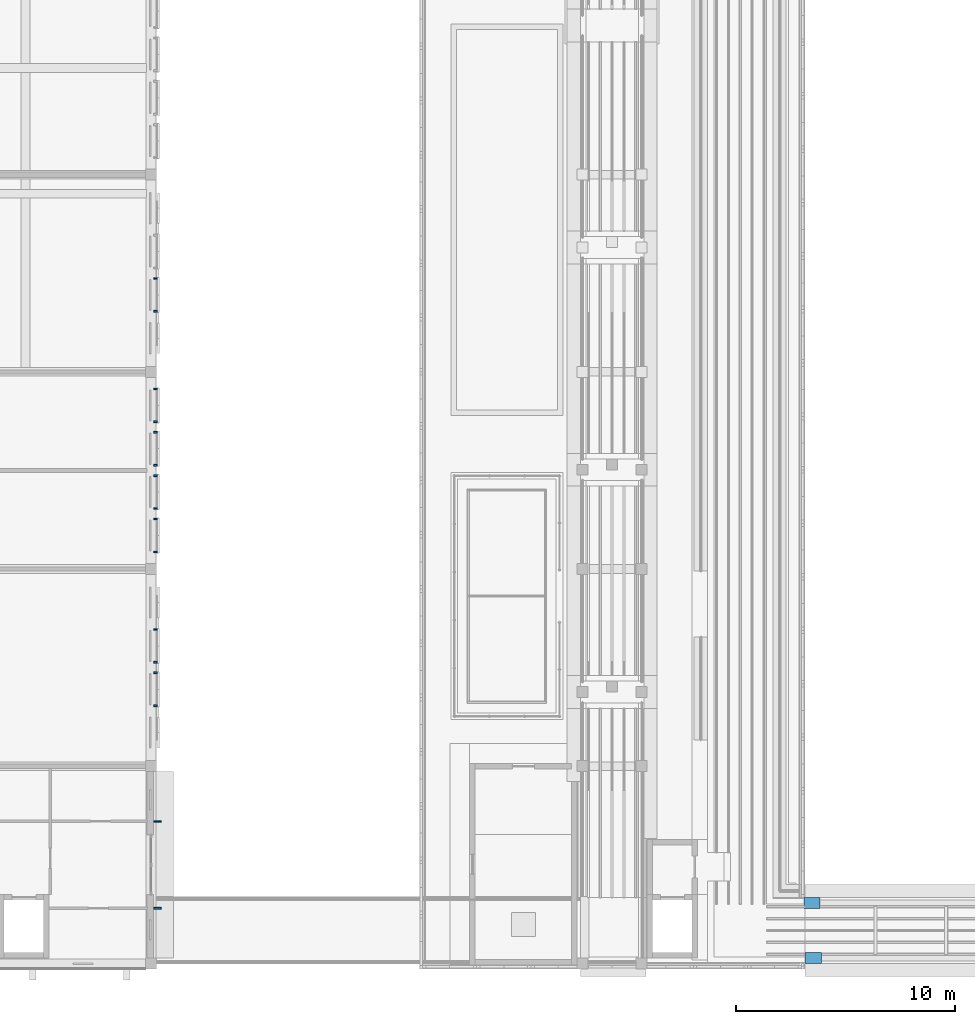
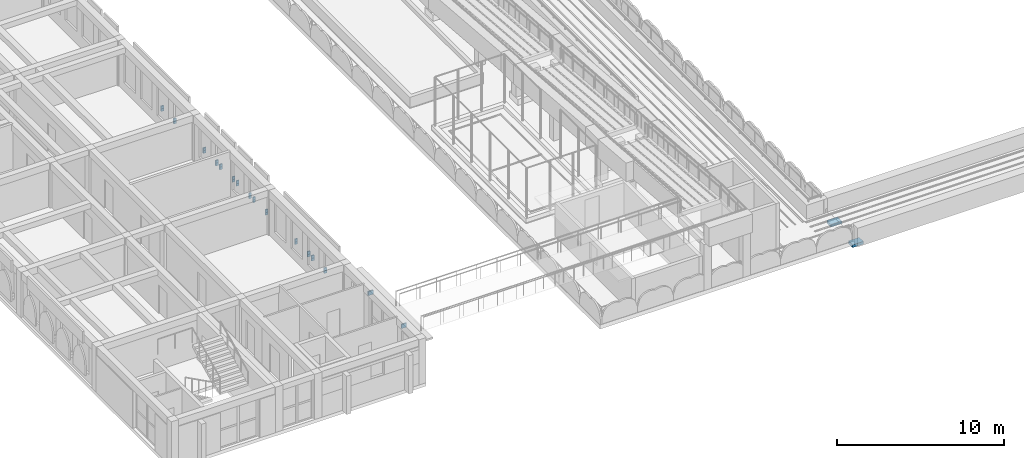
# One storey, part 37 of 50: 32 discrete accessories.
"""IFC4 building model written with IfcOpenShell, lengths in metres."""

from ifc_helpers import new_model, si_unit, direction, frame, origin, origin_2d, place, context, subcontext, project, spatial, rectangle, extrude, material, type_object, element, save


model = new_model("IFC4")

# Units and contexts
model_context = context("Model", 3, precision=1e-05, world=origin(), true_north=direction((0.0, 1.0)))
body_context = subcontext(model_context, "Body", "Model", "MODEL_VIEW")
ifc_project = project(units=[si_unit("LENGTHUNIT", "METRE"), si_unit("AREAUNIT", "SQUARE_METRE"), si_unit("VOLUMEUNIT", "CUBIC_METRE"), si_unit("PLANEANGLEUNIT", "RADIAN"), si_unit("MASSUNIT", "GRAM", prefix="KILO")], contexts=[model_context])

# Site, building, storey
site_placement = place(None, origin())
site = spatial("IfcSite", under=ifc_project, at=site_placement, CompositionType="ELEMENT")
building_placement = place(site_placement, origin())
building = spatial("IfcBuilding", under=site, at=building_placement, Name="Elbe Cascade School", CompositionType="ELEMENT")
storey_placement = place(building_placement, frame((0.0, 0.0, 15.300048828125)))
storey = spatial("IfcBuildingStorey", under=building, at=storey_placement, Name="L04", CompositionType="ELEMENT", Elevation=15.300048828125)

# Discrete accessories
ifc_material_1 = material(Name="Steel S355J2, hot-dip galvanised", Category="steel")
discrete_accessory_type_1 = type_object("IfcDiscreteAccessoryType", Name="Bars envelope Bracket, galvanised steel", PredefinedType="BRACKET", material=ifc_material_1)
for number, where, z_axis, x_axis, name in (
    (1, (86.39501953125, 8.52001953125, 2.330078125), (0.0, 0.0, 1.0), (0.0, 1.0, 0.0), "Bracket AC7 eave.e.1.br1"),
    (2, (86.39501953125, 12.47998046875, 2.330078125), (0.0, 0.0, 1.0), (0.0, 1.0, 0.0), "Bracket AC7 eave.e.1.br2"),
):
    element("IfcDiscreteAccessory", number, at=place(storey_placement, frame(where, z_axis=z_axis, x_axis=x_axis)), inside=storey, type_object=discrete_accessory_type_1, Name=name, PredefinedType="BRACKET", context=body_context, shape_type="SweptSolid", body=[
        extrude(rectangle(XDim=0.080078125, YDim=0.35009765625, at=origin_2d()), origin(), (0.0, 0.0, 1.0), 0.300048828125),
    ])
for number, where, z_axis, x_axis, name in (
    (3, (86.31005859375, 17.760009765625, 0.75), (0.0, 0.0, 1.0), (0.0, 1.0, 0.0), "Bracket AC7 jali.e.2.br2ll"),
    (4, (86.31005859375, 17.760009765625, 0.93994140625), (0.0, 0.0, 1.0), (0.0, 1.0, 0.0), "Bracket AC7 jali.e.2.br2lu"),
    (5, (86.31005859375, 19.260009765625, 0.75), (0.0, 0.0, 1.0), (0.0, 1.0, 0.0), "Bracket AC7 jali.e.2.br2rl"),
    (6, (86.31005859375, 19.260009765625, 0.93994140625), (0.0, 0.0, 1.0), (0.0, 1.0, 0.0), "Bracket AC7 jali.e.2.br2ru"),
    (7, (86.31005859375, 19.739990234375, 0.75), (0.0, 0.0, 1.0), (0.0, 1.0, 0.0), "Bracket AC7 jali.e.2.br3ll"),
    (8, (86.31005859375, 19.739990234375, 0.93994140625), (0.0, 0.0, 1.0), (0.0, 1.0, 0.0), "Bracket AC7 jali.e.2.br3lu"),
    (9, (86.31005859375, 21.239990234375, 0.75), (0.0, 0.0, 1.0), (0.0, 1.0, 0.0), "Bracket AC7 jali.e.2.br3rl"),
    (10, (86.31005859375, 21.239990234375, 0.93994140625), (0.0, 0.0, 1.0), (0.0, 1.0, 0.0), "Bracket AC7 jali.e.2.br3ru"),
    (11, (86.31005859375, 24.780029296875, 0.75), (0.0, 0.0, 1.0), (0.0, 1.0, 0.0), "Bracket AC7 jali.e.3.br1ll"),
    (12, (86.31005859375, 24.780029296875, 0.93994140625), (0.0, 0.0, 1.0), (0.0, 1.0, 0.0), "Bracket AC7 jali.e.3.br1lu"),
    (13, (86.31005859375, 26.280029296875, 0.75), (0.0, 0.0, 1.0), (0.0, 1.0, 0.0), "Bracket AC7 jali.e.3.br1rl"),
    (14, (86.31005859375, 26.280029296875, 0.93994140625), (0.0, 0.0, 1.0), (0.0, 1.0, 0.0), "Bracket AC7 jali.e.3.br1ru"),
    (15, (86.31005859375, 26.760009765625, 0.75), (0.0, 0.0, 1.0), (0.0, 1.0, 0.0), "Bracket AC7 jali.e.3.br2ll"),
    (16, (86.31005859375, 26.760009765625, 0.93994140625), (0.0, 0.0, 1.0), (0.0, 1.0, 0.0), "Bracket AC7 jali.e.3.br2lu"),
    (17, (86.31005859375, 28.260009765625, 0.75), (0.0, 0.0, 1.0), (0.0, 1.0, 0.0), "Bracket AC7 jali.e.3.br2rl"),
    (18, (86.31005859375, 28.260009765625, 0.93994140625), (0.0, 0.0, 1.0), (0.0, 1.0, 0.0), "Bracket AC7 jali.e.3.br2ru"),
    (19, (86.31005859375, 28.739990234375, 0.75), (0.0, 0.0, 1.0), (0.0, 1.0, 0.0), "Bracket AC7 jali.e.3.br3ll"),
    (20, (86.31005859375, 28.739990234375, 0.93994140625), (0.0, 0.0, 1.0), (0.0, 1.0, 0.0), "Bracket AC7 jali.e.3.br3lu"),
    (21, (86.31005859375, 30.239990234375, 0.75), (0.0, 0.0, 1.0), (0.0, 1.0, 0.0), "Bracket AC7 jali.e.3.br3rl"),
    (22, (86.31005859375, 30.239990234375, 0.93994140625), (0.0, 0.0, 1.0), (0.0, 1.0, 0.0), "Bracket AC7 jali.e.3.br3ru"),
    (23, (86.31005859375, 30.719970703125, 0.75), (0.0, 0.0, 1.0), (0.0, 1.0, 0.0), "Bracket AC7 jali.e.3.br4ll"),
    (24, (86.31005859375, 30.719970703125, 0.93994140625), (0.0, 0.0, 1.0), (0.0, 1.0, 0.0), "Bracket AC7 jali.e.3.br4lu"),
    (25, (86.31005859375, 32.219970703125, 0.75), (0.0, 0.0, 1.0), (0.0, 1.0, 0.0), "Bracket AC7 jali.e.3.br4rl"),
    (26, (86.31005859375, 32.219970703125, 0.93994140625), (0.0, 0.0, 1.0), (0.0, 1.0, 0.0), "Bracket AC7 jali.e.3.br4ru"),
    (27, (86.31005859375, 35.760009765625, 0.75), (0.0, 0.0, 1.0), (0.0, 1.0, 0.0), "Bracket AC7 jali.e.4.br2ll"),
    (28, (86.31005859375, 35.760009765625, 0.93994140625), (0.0, 0.0, 1.0), (0.0, 1.0, 0.0), "Bracket AC7 jali.e.4.br2lu"),
    (29, (86.31005859375, 37.260009765625, 0.75), (0.0, 0.0, 1.0), (0.0, 1.0, 0.0), "Bracket AC7 jali.e.4.br2rl"),
    (30, (86.31005859375, 37.260009765625, 0.93994140625), (0.0, 0.0, 1.0), (0.0, 1.0, 0.0), "Bracket AC7 jali.e.4.br2ru"),
):
    element("IfcDiscreteAccessory", number, at=place(storey_placement, frame(where, z_axis=z_axis, x_axis=x_axis)), inside=storey, type_object=discrete_accessory_type_1, Name=name, PredefinedType="BRACKET", context=body_context, shape_type="SweptSolid", body=[
        extrude(rectangle(XDim=0.080078125, YDim=0.179931640625, at=origin_2d()), origin(), (0.0, 0.0, 1.0), 0.199951171875),
    ])
ifc_material_2 = material(Name="Steel S355J2, hot-dip galvanised", Category="steel")
discrete_accessory_type_2 = type_object("IfcDiscreteAccessoryType", Name="Bridge bearing block 750x500x200", PredefinedType="BRACKET", material=ifc_material_2)
for number, where, z_axis, x_axis, name in (
    (31, (116.324951171875, 6.25, -0.66015625), (0.0, 0.0, 1.0), (1.0, 0.0, 0.0), "Bridge B-C bearing block 1 west"),
    (32, (116.27490234375, 8.75, -0.66015625), (0.0, 0.0, 1.0), (1.0, 0.0, 0.0), "Bridge B-C bearing block 2 west"),
):
    element("IfcDiscreteAccessory", number, at=place(storey_placement, frame(where, z_axis=z_axis, x_axis=x_axis)), inside=storey, type_object=discrete_accessory_type_2, Name=name, PredefinedType="BRACKET", context=body_context, shape_type="SweptSolid", body=[
        extrude(rectangle(XDim=0.75, YDim=0.5, at=origin_2d()), origin(), (0.0, 0.0, 1.0), 0.199951171875),
    ])

save(model, "model.ifc")
